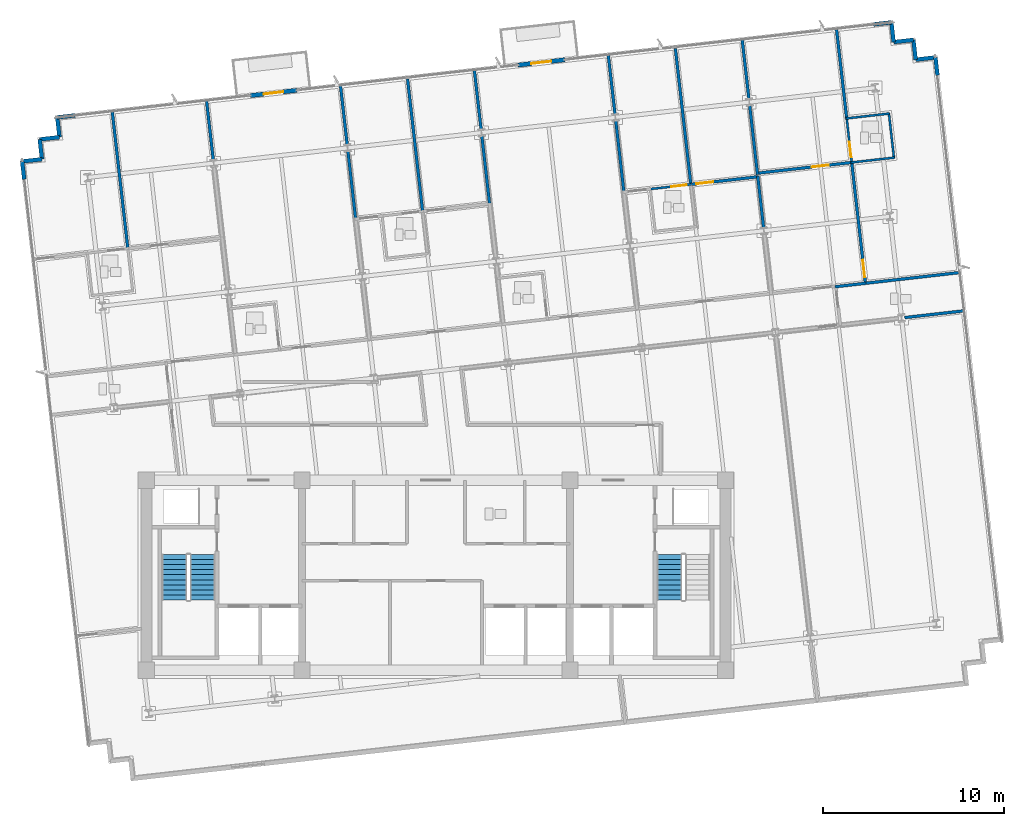
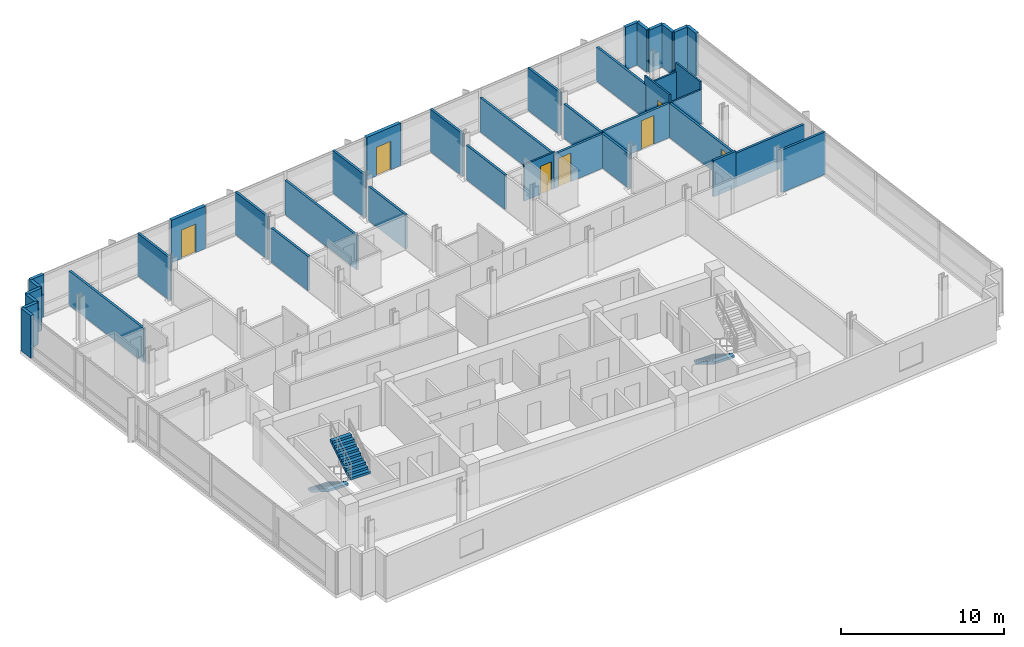
# One storey, part 11 of 17: 39 walls, 7 doors, 3 stair flights, 7 openings, 2 elements without a shape of their own.
"""IFC4 building model written with IfcOpenShell, lengths in metres."""

from ifc_helpers import new_model, si_unit, direction, frame, frame_2d, origin, place, context, subcontext, project, spatial, polyline, rectangle, outline, extrude, material, layer, layer_set, type_object, element, fill, aggregate, save


model = new_model("IFC4")

# Units and contexts
model_context = context("Model", 3, precision=1e-05, world=origin(), true_north=direction((0.0, 1.0)))
body_context = subcontext(model_context, "Body", "Model", "MODEL_VIEW")
ifc_project = project(units=[si_unit("LENGTHUNIT", "METRE"), si_unit("AREAUNIT", "SQUARE_METRE"), si_unit("VOLUMEUNIT", "CUBIC_METRE"), si_unit("PLANEANGLEUNIT", "RADIAN"), si_unit("MASSUNIT", "GRAM", prefix="KILO")], contexts=[model_context])

# Site, building, storey
site_placement = place(None, origin())
site = spatial("IfcSite", under=ifc_project, at=site_placement, CompositionType="ELEMENT")
building_placement = place(site_placement, origin())
building = spatial("IfcBuilding", under=site, at=building_placement, Name="Solmavex Isthmus Hotel", CompositionType="ELEMENT")
storey_placement = place(building_placement, frame((0.0, 0.0, 202.050048828125)))
storey = spatial("IfcBuildingStorey", under=building, at=storey_placement, Name="L54", CompositionType="ELEMENT", Elevation=202.050048828125)

# Wall, opening, door
ifc_material_1 = material(Name="Precast Concrete C40/50", Category="concrete")
ifc_layer_1 = layer(ifc_material_1, 0.25)
ifc_layer_set_1 = layer_set([ifc_layer_1], Name="Precast Concrete C40/50")
wall_type_1 = type_object("IfcWallType", Name="EW-TWR-250", PredefinedType="STANDARD", material=ifc_layer_set_1)
wall_1_placement = place(storey_placement, frame((-10.26953125, 18.750244140625, 0.0), z_axis=(0.0, 0.0, 1.0), x_axis=(0.993567130319, 0.113244680008, 0.0)))
wall_1 = element("IfcWall", 1, at=wall_1_placement, inside=storey, type_object=wall_type_1, Name="Exterior Balcony Door Wall L54-2", PredefinedType="STANDARD", context=body_context, shape_type="SweptSolid", body=[
    extrude(rectangle(XDim=2.60009765625, YDim=0.239990234375, at=frame_2d((1.300048828125, 0.0))), origin(), (0.0, 0.0, 1.0), 3.18994140625),
])
opening_1_placement = place(wall_1_placement, frame((0.75, 0.0, 0.0)))
opening_1 = element("IfcOpeningElement", 2, at=opening_1_placement, cuts=wall_1, Name="Opening ED-02", PredefinedType="OPENING", context=body_context, shape_type="SweptSolid", body=[
    extrude(rectangle(XDim=1.10009765625, YDim=2.14990234375, at=frame_2d((0.550048828125, 1.074951171875))), frame((0.0, 0.1298828125, 0.0), z_axis=(0.0, -1.0, 0.0), x_axis=(1.0, 0.0, 0.0)), (0.0, 0.0, 1.0), 0.260009765625),
])
ifc_material_2 = material(Name="Aluminium alloy 6063-T6", Category="aluminium")
door_type_1 = type_object("IfcDoorType", Name="EDR-BALC-1100", OperationType="NOTDEFINED", PredefinedType="DOOR", material=ifc_material_2)
door_1_placement = place(opening_1_placement, origin())
door_1 = element("IfcDoor", 3, at=door_1_placement, inside=storey, type_object=door_type_1, Name="Balcony & Terrace Glazed Door L54-2", OperationType="SINGLE_SWING_RIGHT", OverallHeight=2.14990234375, OverallWidth=1.10009765625, PredefinedType="DOOR", context=body_context, shape_type="SweptSolid", body=[
    extrude(rectangle(XDim=1.10009765625, YDim=2.14990234375, at=frame_2d((0.550048828125, 1.074951171875))), frame((0.0, 0.02490234375, 0.0), z_axis=(0.0, -1.0, 0.0), x_axis=(1.0, 0.0, 0.0)), (0.0, 0.0, 1.0), 0.050048828125),
])
fill(opening_1, door_1)

wall_2_placement = place(storey_placement, frame((4.52685546875, 20.43603515625, 0.0), z_axis=(0.0, 0.0, 1.0), x_axis=(0.993567130319, 0.113244680008, 0.0)))
wall_2 = element("IfcWall", 4, at=wall_2_placement, inside=storey, type_object=wall_type_1, Name="Exterior Balcony Door Wall L54-3", PredefinedType="STANDARD", context=body_context, shape_type="SweptSolid", body=[
    extrude(rectangle(XDim=2.60009765625, YDim=0.239990234375, at=frame_2d((1.300048828125, 0.0))), origin(), (0.0, 0.0, 1.0), 3.18994140625),
])
opening_2_placement = place(wall_2_placement, frame((0.75, 0.0, 0.0)))
opening_2 = element("IfcOpeningElement", 5, at=opening_2_placement, cuts=wall_2, Name="Opening ED-02", PredefinedType="OPENING", context=body_context, shape_type="SweptSolid", body=[
    extrude(rectangle(XDim=1.10009765625, YDim=2.14990234375, at=frame_2d((0.550048828125, 1.074951171875))), frame((0.0, 0.1298828125, 0.0), z_axis=(0.0, -1.0, 0.0), x_axis=(1.0, 0.0, 0.0)), (0.0, 0.0, 1.0), 0.260009765625),
])
door_2_placement = place(opening_2_placement, origin())
door_2 = element("IfcDoor", 6, at=door_2_placement, inside=storey, type_object=door_type_1, Name="Balcony & Terrace Glazed Door L54-3", OperationType="SINGLE_SWING_LEFT", OverallHeight=2.14990234375, OverallWidth=1.10009765625, PredefinedType="DOOR", context=body_context, shape_type="SweptSolid", body=[
    extrude(rectangle(XDim=1.10009765625, YDim=2.14990234375, at=frame_2d((0.550048828125, 1.074951171875))), frame((0.0, 0.02490234375, 0.0), z_axis=(0.0, -1.0, 0.0), x_axis=(1.0, 0.0, 0.0)), (0.0, 0.0, 1.0), 0.050048828125),
])
fill(opening_2, door_2)

# Walls
wall_3_placement = place(storey_placement, frame((-22.74755859375, 14.128173828125, 0.0), z_axis=(0.0, 0.0, 1.0), x_axis=(-0.113191877531, 0.993573147212, 0.0)))
element("IfcWall", 7, at=wall_3_placement, inside=storey, type_object=wall_type_1, Name="Serrated Corner Facade Panel L54-07", PredefinedType="STANDARD", context=body_context, shape_type="SweptSolid", body=[
    extrude(rectangle(XDim=0.989990234375, YDim=0.219970703125, at=frame_2d((0.4951171875, 0.0))), origin(), (0.0, 0.0, 1.0), 3.18994140625),
])
wall_4_placement = place(storey_placement, frame((-22.859619140625, 15.11181640625, 0.0), z_axis=(0.0, 0.0, 1.0), x_axis=(0.99357409499, 0.113183557839, 0.0)))
element("IfcWall", 8, at=wall_4_placement, inside=storey, type_object=wall_type_1, Name="Serrated Corner Facade Panel L54-08", PredefinedType="STANDARD", context=body_context, shape_type="SweptSolid", body=[
    extrude(rectangle(XDim=1.10009765625, YDim=0.219970703125, at=frame_2d((0.550048828125, 0.0))), origin(), (0.0, 0.0, 1.0), 3.18994140625),
])
wall_5_placement = place(storey_placement, frame((-21.7666015625, 15.236328125, 0.0), z_axis=(0.0, 0.0, 1.0), x_axis=(-0.11320852056, 0.99357125103, 0.0)))
element("IfcWall", 9, at=wall_5_placement, inside=storey, type_object=wall_type_1, Name="Serrated Corner Facade Panel L54-09", PredefinedType="STANDARD", context=body_context, shape_type="SweptSolid", body=[
    extrude(rectangle(XDim=1.099853515625, YDim=0.219970703125, at=frame_2d((0.5498046875, 0.0))), origin(), (0.0, 0.0, 1.0), 3.18994140625),
])
for number, where, z_axis, x_axis, name in (
    (10, (-21.89111328125, 16.3291015625, 0.0), (0.0, 0.0, 1.0), (0.99357409499, 0.113183557839, 0.0), "Serrated Corner Facade Panel L54-10"),
    (11, (-20.798095703125, 16.45361328125, 0.0), (0.0, 0.0, 1.0), (-0.113402635104, 0.993549114212, 0.0), "Serrated Corner Facade Panel L54-11"),
):
    element("IfcWall", number, at=place(storey_placement, frame(where, z_axis=z_axis, x_axis=x_axis)), inside=storey, type_object=wall_type_1, Name=name, PredefinedType="STANDARD", context=body_context, shape_type="SweptSolid", body=[
        extrude(rectangle(XDim=1.10009765625, YDim=0.219970703125, at=frame_2d((0.550048828125, 0.0))), origin(), (0.0, 0.0, 1.0), 3.18994140625),
    ])
for number, where, z_axis, x_axis, name in (
    (12, (-20.9228515625, 17.546630859375, 0.0), (0.0, 0.0, 1.0), (0.993573147212, 0.113191877531, 0.0), "Serrated Corner Facade Panel L54-12"),
    (13, (24.175537109375, 22.684814453125, 0.0), (0.0, 0.0, 1.0), (0.993573147212, 0.113191877531, 0.0), "Serrated Corner Facade Panel L54-14"),
):
    element("IfcWall", number, at=place(storey_placement, frame(where, z_axis=z_axis, x_axis=x_axis)), inside=storey, type_object=wall_type_1, Name=name, PredefinedType="STANDARD", context=body_context, shape_type="SweptSolid", body=[
        extrude(rectangle(XDim=0.989990234375, YDim=0.219970703125, at=frame_2d((0.4951171875, 0.0))), origin(), (0.0, 0.0, 1.0), 3.18994140625),
    ])
for number, where, z_axis, x_axis, name in (
    (14, (25.1591796875, 22.796875, 0.0), (0.0, 0.0, 1.0), (0.11320852056, -0.99357125103, 0.0), "Serrated Corner Facade Panel L54-15"),
    (15, (25.28369140625, 21.7041015625, 0.0), (0.0, 0.0, 1.0), (0.99357125103, 0.11320852056, 0.0), "Serrated Corner Facade Panel L54-16"),
):
    element("IfcWall", number, at=place(storey_placement, frame(where, z_axis=z_axis, x_axis=x_axis)), inside=storey, type_object=wall_type_1, Name=name, PredefinedType="STANDARD", context=body_context, shape_type="SweptSolid", body=[
        extrude(rectangle(XDim=1.099853515625, YDim=0.219970703125, at=frame_2d((0.5498046875, 0.0))), origin(), (0.0, 0.0, 1.0), 3.18994140625),
    ])
wall_6_placement = place(storey_placement, frame((26.37646484375, 21.82861328125, 0.0), z_axis=(0.0, 0.0, 1.0), x_axis=(0.113402635104, -0.993549114212, 0.0)))
element("IfcWall", 16, at=wall_6_placement, inside=storey, type_object=wall_type_1, Name="Serrated Corner Facade Panel L54-17", PredefinedType="STANDARD", context=body_context, shape_type="SweptSolid", body=[
    extrude(rectangle(XDim=1.10009765625, YDim=0.219970703125, at=frame_2d((0.550048828125, 0.0))), origin(), (0.0, 0.0, 1.0), 3.18994140625),
])
wall_7_placement = place(storey_placement, frame((26.501220703125, 20.735595703125, 0.0), z_axis=(0.0, 0.0, 1.0), x_axis=(0.99357125103, 0.11320852056, 0.0)))
element("IfcWall", 17, at=wall_7_placement, inside=storey, type_object=wall_type_1, Name="Serrated Corner Facade Panel L54-18", PredefinedType="STANDARD", context=body_context, shape_type="SweptSolid", body=[
    extrude(rectangle(XDim=1.099853515625, YDim=0.219970703125, at=frame_2d((0.5498046875, 0.0))), origin(), (0.0, 0.0, 1.0), 3.18994140625),
])
wall_8_placement = place(storey_placement, frame((27.593994140625, 20.860107421875, 0.0), z_axis=(0.0, 0.0, 1.0), x_axis=(0.113191877531, -0.993573147212, 0.0)))
element("IfcWall", 18, at=wall_8_placement, inside=storey, type_object=wall_type_1, Name="Serrated Corner Facade Panel L54-19", PredefinedType="STANDARD", context=body_context, shape_type="SweptSolid", body=[
    extrude(rectangle(XDim=0.989990234375, YDim=0.219970703125, at=frame_2d((0.4951171875, 0.0))), origin(), (0.0, 0.0, 1.0), 3.18994140625),
])
ifc_material_3 = material(Name="Gypsum plasterboard lining", Category="gypsum")
ifc_layer_2 = layer(ifc_material_3, 0.159912109375)
ifc_layer_set_2 = layer_set([ifc_layer_2], Name="Gypsum plasterboard lining")
wall_type_2 = type_object("IfcWallType", Name="IW-COMP-160", PredefinedType="PARTITIONING", material=ifc_layer_set_2)
wall_9_placement = place(storey_placement, frame((-17.891845703125, 17.922119140625, 0.0), z_axis=(0.0, 0.0, 1.0), x_axis=(0.113207305677, -0.993571389454, 0.0)))
element("IfcWall", 19, at=wall_9_placement, inside=storey, type_object=wall_type_2, Name="Interior Partition Wall W-L54-P033", PredefinedType="PARTITIONING", context=body_context, shape_type="SweptSolid", body=[
    extrude(rectangle(XDim=7.7119140625, YDim=0.159912109375, at=frame_2d((3.85595703125, 0.0))), origin(), (0.0, 0.0, 1.0), 2.557373046875),
])
wall_10_placement = place(storey_placement, frame((-12.681396484375, 18.515869140625, 0.0), z_axis=(0.0, 0.0, 1.0), x_axis=(0.113171804991, -0.993575433752, 0.0)))
element("IfcWall", 20, at=wall_10_placement, inside=storey, type_object=wall_type_2, Name="Interior Partition Wall W-L54-P035", PredefinedType="PARTITIONING", context=body_context, shape_type="SweptSolid", body=[
    extrude(rectangle(XDim=3.34375, YDim=0.159912109375, at=frame_2d((1.671875, 0.0))), origin(), (0.0, 0.0, 1.0), 3.18994140625),
])
wall_11_placement = place(storey_placement, frame((-5.283447265625, 19.358642578125, 0.0), z_axis=(0.0, 0.0, 1.0), x_axis=(0.113252098743, -0.993566284719, 0.0)))
element("IfcWall", 21, at=wall_11_placement, inside=storey, type_object=wall_type_2, Name="Interior Partition Wall W-L54-P041", PredefinedType="PARTITIONING", context=body_context, shape_type="SweptSolid", body=[
    extrude(rectangle(XDim=3.343505859375, YDim=0.159912109375, at=frame_2d((1.671875, 0.0))), origin(), (0.0, 0.0, 1.0), 3.18994140625),
])
wall_12_placement = place(storey_placement, frame((-4.864990234375, 15.68603515625, 0.0), z_axis=(0.0, 0.0, 1.0), x_axis=(0.11322351182, -0.993569542796, 0.0)))
element("IfcWall", 22, at=wall_12_placement, inside=storey, type_object=wall_type_2, Name="Interior Partition Wall W-L54-P042", PredefinedType="PARTITIONING", context=body_context, shape_type="SweptSolid", body=[
    extrude(rectangle(XDim=3.857666015625, YDim=0.159912109375, at=frame_2d((1.9287109375, 0.0))), origin(), (0.0, 0.0, 1.0), 2.572265625),
])
wall_13_placement = place(storey_placement, frame((-1.57080078125, 19.660888671875, 0.0), z_axis=(0.0, 0.0, 1.0), x_axis=(0.113218703946, -0.993570090671, 0.0)))
element("IfcWall", 23, at=wall_13_placement, inside=storey, type_object=wall_type_2, Name="Interior Partition Wall W-L54-P050", PredefinedType="PARTITIONING", context=body_context, shape_type="SweptSolid", body=[
    extrude(rectangle(XDim=7.39208984375, YDim=0.159912109375, at=frame_2d((3.696044921875, 0.0))), origin(), (0.0, 0.0, 1.0), 2.557373046875),
])
wall_14_placement = place(storey_placement, frame((2.11474609375, 20.20166015625, 0.0), z_axis=(0.0, 0.0, 1.0), x_axis=(0.113243883011, -0.993567221158, 0.0)))
element("IfcWall", 24, at=wall_14_placement, inside=storey, type_object=wall_type_2, Name="Interior Partition Wall W-L54-P052", PredefinedType="PARTITIONING", context=body_context, shape_type="SweptSolid", body=[
    extrude(rectangle(XDim=3.34375, YDim=0.159912109375, at=frame_2d((1.671875, 0.0))), origin(), (0.0, 0.0, 1.0), 3.18994140625),
])
wall_15_placement = place(storey_placement, frame((2.533203125, 16.529052734375, 0.0), z_axis=(0.0, 0.0, 1.0), x_axis=(0.113183882326, -0.993574058026, 0.0)))
element("IfcWall", 25, at=wall_15_placement, inside=storey, type_object=wall_type_2, Name="Interior Partition Wall W-L54-P053", PredefinedType="PARTITIONING", context=body_context, shape_type="SweptSolid", body=[
    extrude(rectangle(XDim=3.815673828125, YDim=0.159912109375, at=frame_2d((1.90771484375, 0.0))), origin(), (0.0, 0.0, 1.0), 2.572265625),
])
wall_16_placement = place(storey_placement, frame((9.512939453125, 21.04443359375, 0.0), z_axis=(0.0, 0.0, 1.0), x_axis=(0.113180015629, -0.993574498496, 0.0)))
element("IfcWall", 26, at=wall_16_placement, inside=storey, type_object=wall_type_2, Name="Interior Partition Wall W-L54-P058", PredefinedType="PARTITIONING", context=body_context, shape_type="SweptSolid", body=[
    extrude(rectangle(XDim=3.343505859375, YDim=0.159912109375, at=frame_2d((1.671875, 0.0))), origin(), (0.0, 0.0, 1.0), 3.18994140625),
])
wall_17_placement = place(storey_placement, frame((9.931396484375, 17.371826171875, 0.0), z_axis=(0.0, 0.0, 1.0), x_axis=(0.113178343723, -0.993574688945, 0.0)))
element("IfcWall", 27, at=wall_17_placement, inside=storey, type_object=wall_type_2, Name="Interior Partition Wall W-L54-P059", PredefinedType="PARTITIONING", context=body_context, shape_type="SweptSolid", body=[
    extrude(rectangle(XDim=4.0576171875, YDim=0.159912109375, at=frame_2d((2.02880859375, 0.0))), origin(), (0.0, 0.0, 1.0), 2.572265625),
])

# Wall, opening, door
wall_18_placement = place(storey_placement, frame((14.040771484375, 13.8388671875, 0.0), z_axis=(0.0, 0.0, 1.0), x_axis=(0.99357460938, 0.113179042213, 0.0)))
wall_18 = element("IfcWall", 28, at=wall_18_placement, inside=storey, type_object=wall_type_2, Name="Interior Partition Wall W-L54-P061", PredefinedType="PARTITIONING", context=body_context, shape_type="SweptSolid", body=[
    extrude(rectangle(XDim=3.802978515625, YDim=0.159912109375, at=frame_2d((1.9013671875, 0.0))), origin(), (0.0, 0.0, 1.0), 2.572265625),
])
opening_3_placement = place(wall_18_placement, frame((0.331787109375, 0.0, 0.0)))
opening_3 = element("IfcOpeningElement", 29, at=opening_3_placement, cuts=wall_18, Name="Opening ID-C095", PredefinedType="OPENING", context=body_context, shape_type="SweptSolid", body=[
    extrude(rectangle(XDim=0.949951171875, YDim=2.14990234375, at=frame_2d((0.47509765625, 1.074951171875))), frame((0.0, 0.08984375, 0.0), z_axis=(0.0, -1.0, 0.0), x_axis=(1.0, 0.0, 0.0)), (0.0, 0.0, 1.0), 0.179931640625),
])
ifc_material_4 = material(Name="Hardwood timber", Category="wood")
door_type_2 = type_object("IfcDoorType", Name="IDR-FD60-0950", OperationType="NOTDEFINED", PredefinedType="DOOR", material=ifc_material_4)
door_3_placement = place(opening_3_placement, origin())
door_3 = element("IfcDoor", 30, at=door_3_placement, inside=storey, type_object=door_type_2, Name="Premier Suite Panorama Sitting Study Door L54-15", OperationType="SINGLE_SWING_LEFT", OverallHeight=2.14990234375, OverallWidth=0.949951171875, PredefinedType="DOOR", context=body_context, shape_type="SweptSolid", body=[
    extrude(rectangle(XDim=0.949951171875, YDim=2.14990234375, at=frame_2d((0.47509765625, 1.074951171875))), frame((0.0, 0.02490234375, 0.0), z_axis=(0.0, -1.0, 0.0), x_axis=(1.0, 0.0, 0.0)), (0.0, 0.0, 1.0), 0.050048828125),
])
fill(opening_3, door_3)

# Walls
wall_19_placement = place(storey_placement, frame((17.775146484375, 14.304443359375, 0.0), z_axis=(0.0, 0.0, 1.0), x_axis=(0.113135412766, -0.993579578282, 0.0)))
element("IfcWall", 31, at=wall_19_placement, inside=storey, type_object=wall_type_2, Name="Interior Partition Wall W-L54-P065", PredefinedType="PARTITIONING", context=body_context, shape_type="SweptSolid", body=[
    extrude(rectangle(XDim=2.863525390625, YDim=0.159912109375, at=frame_2d((1.431640625, 0.0))), origin(), (0.0, 0.0, 1.0), 2.572265625),
])
wall_20_placement = place(storey_placement, frame((13.2255859375, 21.3466796875, 0.0), z_axis=(0.0, 0.0, 1.0), x_axis=(0.113194690428, -0.993572826751, 0.0)))
element("IfcWall", 32, at=wall_20_placement, inside=storey, type_object=wall_type_2, Name="Interior Partition Wall W-L54-P067", PredefinedType="PARTITIONING", context=body_context, shape_type="SweptSolid", body=[
    extrude(rectangle(XDim=7.592041015625, YDim=0.159912109375, at=frame_2d((3.7958984375, 0.0))), origin(), (0.0, 0.0, 1.0), 2.557373046875),
])
wall_21_placement = place(storey_placement, frame((16.9111328125, 21.887451171875, 0.0), z_axis=(0.0, 0.0, 1.0), x_axis=(0.113171804991, -0.993575433752, 0.0)))
element("IfcWall", 33, at=wall_21_placement, inside=storey, type_object=wall_type_2, Name="Interior Partition Wall W-L54-P069", PredefinedType="PARTITIONING", context=body_context, shape_type="SweptSolid", body=[
    extrude(rectangle(XDim=3.34375, YDim=0.159912109375, at=frame_2d((1.671875, 0.0))), origin(), (0.0, 0.0, 1.0), 3.18994140625),
])
wall_22_placement = place(storey_placement, frame((17.32958984375, 18.21484375, 0.0), z_axis=(0.0, 0.0, 1.0), x_axis=(0.113161033767, -0.993576660574, 0.0)))
element("IfcWall", 34, at=wall_22_placement, inside=storey, type_object=wall_type_2, Name="Interior Partition Wall W-L54-P070", PredefinedType="PARTITIONING", context=body_context, shape_type="SweptSolid", body=[
    extrude(rectangle(XDim=3.857421875, YDim=0.159912109375, at=frame_2d((1.9287109375, 0.0))), origin(), (0.0, 0.0, 1.0), 2.572265625),
])

# Wall, opening, door
wall_23_placement = place(storey_placement, frame((17.71728515625, 14.458984375, 0.0), z_axis=(0.0, 0.0, 1.0), x_axis=(0.99357458339, 0.113179270369, 0.0)))
wall_23 = element("IfcWall", 35, at=wall_23_placement, inside=storey, type_object=wall_type_2, Name="Interior Partition Wall W-L54-P071", PredefinedType="PARTITIONING", context=body_context, shape_type="SweptSolid", body=[
    extrude(rectangle(XDim=5.32373046875, YDim=0.159912109375, at=frame_2d((2.661865234375, 0.0))), origin(), (0.0, 0.0, 1.0), 2.572265625),
])
opening_4_placement = place(wall_23_placement, frame((3.068115234375, 0.0, 0.0)))
opening_4 = element("IfcOpeningElement", 36, at=opening_4_placement, cuts=wall_23, Name="Opening ID-C095", PredefinedType="OPENING", context=body_context, shape_type="SweptSolid", body=[
    extrude(rectangle(XDim=0.949951171875, YDim=2.14990234375, at=frame_2d((0.47509765625, 1.074951171875))), frame((0.0, 0.08984375, 0.0), z_axis=(0.0, -1.0, 0.0), x_axis=(1.0, 0.0, 0.0)), (0.0, 0.0, 1.0), 0.179931640625),
])
door_4_placement = place(opening_4_placement, origin())
door_4 = element("IfcDoor", 37, at=door_4_placement, inside=storey, type_object=door_type_2, Name="Corner Suite Master Bedroom Door L54-18", OperationType="SINGLE_SWING_RIGHT", OverallHeight=2.14990234375, OverallWidth=0.949951171875, PredefinedType="DOOR", context=body_context, shape_type="SweptSolid", body=[
    extrude(rectangle(XDim=0.949951171875, YDim=2.14990234375, at=frame_2d((0.47509765625, 1.074951171875))), frame((0.0, 0.02490234375, 0.0), z_axis=(0.0, -1.0, 0.0), x_axis=(1.0, 0.0, 0.0)), (0.0, 0.0, 1.0), 0.050048828125),
])
fill(opening_4, door_4)

wall_24_placement = place(storey_placement, frame((22.962646484375, 15.096923828125, 0.0), z_axis=(0.0, 0.0, 1.0), x_axis=(0.113198160336, -0.993572431429, 0.0)))
wall_24 = element("IfcWall", 38, at=wall_24_placement, inside=storey, type_object=wall_type_2, Name="Interior Partition Wall W-L54-P072", PredefinedType="PARTITIONING", context=body_context, shape_type="SweptSolid", body=[
    extrude(rectangle(XDim=6.798095703125, YDim=0.159912109375, at=frame_2d((3.39892578125, 0.0))), origin(), (0.0, 0.0, 1.0), 2.572265625),
])
opening_5_placement = place(wall_24_placement, frame((5.46337890625, 0.0, 0.0)))
opening_5 = element("IfcOpeningElement", 39, at=opening_5_placement, cuts=wall_24, Name="Opening ID-C095", PredefinedType="OPENING", context=body_context, shape_type="SweptSolid", body=[
    extrude(rectangle(XDim=0.949951171875, YDim=2.14990234375, at=frame_2d((0.47509765625, 1.074951171875))), frame((0.0, 0.08984375, 0.0), z_axis=(0.0, -1.0, 0.0), x_axis=(1.0, 0.0, 0.0)), (0.0, 0.0, 1.0), 0.179931640625),
])
door_5_placement = place(opening_5_placement, frame((0.949951171875, 0.0, 0.0), z_axis=(0.0, 0.0, 1.0), x_axis=(-1.0, 0.0, 0.0)))
door_5 = element("IfcDoor", 40, at=door_5_placement, inside=storey, type_object=door_type_2, Name="Corner Suite Living Lounge Door L54-19", OperationType="SINGLE_SWING_LEFT", OverallHeight=2.14990234375, OverallWidth=0.949951171875, PredefinedType="DOOR", context=body_context, shape_type="SweptSolid", body=[
    extrude(rectangle(XDim=0.949951171875, YDim=2.14990234375, at=frame_2d((0.47509765625, 1.074951171875))), frame((0.0, 0.02490234375, 0.0), z_axis=(0.0, -1.0, 0.0), x_axis=(1.0, 0.0, 0.0)), (0.0, 0.0, 1.0), 0.050048828125),
])
fill(opening_5, door_5)

# Walls
wall_25_placement = place(storey_placement, frame((23.767333984375, 8.38671875, 0.0), z_axis=(0.0, 0.0, 1.0), x_axis=(-0.993577783283, -0.113151175719, 0.0)))
element("IfcWall", 41, at=wall_25_placement, inside=storey, type_object=wall_type_2, Name="Interior Partition Wall W-L54-P073", PredefinedType="PARTITIONING", context=body_context, shape_type="SweptSolid", body=[
    extrude(rectangle(XDim=1.723876953125, YDim=0.159912109375, at=frame_2d((0.86181640625, 0.0))), origin(), (0.0, 0.0, 1.0), 2.718017578125),
])
wall_26_placement = place(storey_placement, frame((22.121337890625, 22.48095703125, 0.0), z_axis=(0.0, 0.0, 1.0), x_axis=(0.113224155513, -0.993569469443, 0.0)))
element("IfcWall", 42, at=wall_26_placement, inside=storey, type_object=wall_type_2, Name="Interior Partition Wall W-L54-P074", PredefinedType="PARTITIONING", context=body_context, shape_type="SweptSolid", body=[
    extrude(rectangle(XDim=5.103759765625, YDim=0.159912109375, at=frame_2d((2.5517578125, 0.0))), origin(), (0.0, 0.0, 1.0), 2.557373046875),
])
wall_27_placement = place(storey_placement, frame((28.977783203125, 8.98046875, 0.0), z_axis=(0.0, 0.0, 1.0), x_axis=(-0.993570013337, -0.113219382606, 0.0)))
element("IfcWall", 43, at=wall_27_placement, inside=storey, type_object=wall_type_2, Name="Interior Partition Wall W-L54-P079", PredefinedType="PARTITIONING", context=body_context, shape_type="SweptSolid", body=[
    extrude(rectangle(XDim=5.323974609375, YDim=0.159912109375, at=frame_2d((2.662109375, 0.0))), origin(), (0.0, 0.0, 1.0), 2.557373046875),
])
wall_28_placement = place(storey_placement, frame((29.21875, 6.864013671875, 0.0), z_axis=(0.0, 0.0, 1.0), x_axis=(-0.993574498496, -0.113180015629, 0.0)))
element("IfcWall", 44, at=wall_28_placement, inside=storey, type_object=wall_type_2, Name="Interior Partition Wall W-L54-P083", PredefinedType="PARTITIONING", context=body_context, shape_type="SweptSolid", body=[
    extrude(rectangle(XDim=3.343505859375, YDim=0.159912109375, at=frame_2d((1.671875, 0.0))), origin(), (0.0, 0.0, 1.0), 3.18994140625),
])

# Wall, opening, door
ifc_layer_3 = layer(ifc_material_3, 0.1201171875)
ifc_layer_set_3 = layer_set([ifc_layer_3], Name="Gypsum plasterboard lining")
wall_type_3 = type_object("IfcWallType", Name="IW-PART-120", PredefinedType="PARTITIONING", material=ifc_layer_set_3)
wall_29_placement = place(storey_placement, frame((14.120361328125, 13.847900390625, 0.0), z_axis=(0.0, 0.0, 1.0), x_axis=(-0.99357109585, -0.113209882477, 0.0)))
wall_29 = element("IfcWall", 45, at=wall_29_placement, inside=storey, type_object=wall_type_3, Name="Interior Partition Wall W-L54-P068", PredefinedType="PARTITIONING", context=body_context, shape_type="SweptSolid", body=[
    extrude(rectangle(XDim=2.3720703125, YDim=0.1201171875, at=frame_2d((1.18603515625, 0.0))), origin(), (0.0, 0.0, 1.0), 2.718017578125),
])
opening_6_placement = place(wall_29_placement, frame((0.27978515625, 0.0, 0.0)))
opening_6 = element("IfcOpeningElement", 46, at=opening_6_placement, cuts=wall_29, Name="Opening ID-U085", PredefinedType="OPENING", context=body_context, shape_type="SweptSolid", body=[
    extrude(rectangle(XDim=0.85009765625, YDim=2.10009765625, at=frame_2d((0.425048828125, 1.050048828125))), frame((0.0, 0.070068359375, 0.0), z_axis=(0.0, -1.0, 0.0), x_axis=(1.0, 0.0, 0.0)), (0.0, 0.0, 1.0), 0.14013671875),
])
door_type_3 = type_object("IfcDoorType", Name="IDR-UNR-0850", OperationType="NOTDEFINED", PredefinedType="DOOR", material=ifc_material_4)
door_6_placement = place(opening_6_placement, frame((0.85009765625, 0.0, 0.0), z_axis=(0.0, 0.0, 1.0), x_axis=(-1.0, 0.0, 0.0)))
door_6 = element("IfcDoor", 47, at=door_6_placement, inside=storey, type_object=door_type_3, Name="En-suite Bathroom Door L54-16", OperationType="SINGLE_SWING_RIGHT", OverallHeight=2.10009765625, OverallWidth=0.85009765625, PredefinedType="DOOR", context=body_context, shape_type="SweptSolid", body=[
    extrude(rectangle(XDim=0.85009765625, YDim=2.10009765625, at=frame_2d((0.425048828125, 1.050048828125))), frame((0.0, 0.02490234375, 0.0), z_axis=(0.0, -1.0, 0.0), x_axis=(1.0, 0.0, 0.0)), (0.0, 0.0, 1.0), 0.050048828125),
])
fill(opening_6, door_6)

wall_30_placement = place(storey_placement, frame((22.6806640625, 17.57275390625, 0.0), z_axis=(0.0, 0.0, 1.0), x_axis=(0.11315036097, -0.993577876068, 0.0)))
wall_30 = element("IfcWall", 48, at=wall_30_placement, inside=storey, type_object=wall_type_3, Name="Interior Partition Wall W-L54-P075", PredefinedType="PARTITIONING", context=body_context, shape_type="SweptSolid", body=[
    extrude(rectangle(XDim=2.572021484375, YDim=0.1201171875, at=frame_2d((1.2861328125, 0.0))), origin(), (0.0, 0.0, 1.0), 3.18994140625),
])
opening_7_placement = place(wall_30_placement, frame((1.38427734375, 0.0, 0.0)))
opening_7 = element("IfcOpeningElement", 49, at=opening_7_placement, cuts=wall_30, Name="Opening ID-U085", PredefinedType="OPENING", context=body_context, shape_type="SweptSolid", body=[
    extrude(rectangle(XDim=0.85009765625, YDim=2.10009765625, at=frame_2d((0.425048828125, 1.050048828125))), frame((0.0, 0.070068359375, 0.0), z_axis=(0.0, -1.0, 0.0), x_axis=(1.0, 0.0, 0.0)), (0.0, 0.0, 1.0), 0.14013671875),
])
door_7_placement = place(opening_7_placement, frame((0.85009765625, 0.0, 0.0), z_axis=(0.0, 0.0, 1.0), x_axis=(-1.0, 0.0, 0.0)))
door_7 = element("IfcDoor", 50, at=door_7_placement, inside=storey, type_object=door_type_3, Name="En-suite Bathroom Door L54-20", OperationType="SINGLE_SWING_RIGHT", OverallHeight=2.10009765625, OverallWidth=0.85009765625, PredefinedType="DOOR", context=body_context, shape_type="SweptSolid", body=[
    extrude(rectangle(XDim=0.85009765625, YDim=2.10009765625, at=frame_2d((0.425048828125, 1.050048828125))), frame((0.0, 0.02490234375, 0.0), z_axis=(0.0, -1.0, 0.0), x_axis=(1.0, 0.0, 0.0)), (0.0, 0.0, 1.0), 0.050048828125),
])
fill(opening_7, door_7)

# Walls
wall_31_placement = place(storey_placement, frame((22.927490234375, 15.052490234375, 0.0), z_axis=(0.0, 0.0, 1.0), x_axis=(0.993568569373, 0.113232053563, 0.0)))
element("IfcWall", 51, at=wall_31_placement, inside=storey, type_object=wall_type_3, Name="Interior Partition Wall W-L54-P076", PredefinedType="PARTITIONING", context=body_context, shape_type="SweptSolid", body=[
    extrude(rectangle(XDim=2.429931640625, YDim=0.1201171875, at=frame_2d((1.21484375, 0.0))), origin(), (0.0, 0.0, 1.0), 2.557373046875),
])
wall_32_placement = place(storey_placement, frame((25.306640625, 15.283447265625, 0.0), z_axis=(0.0, 0.0, 1.0), x_axis=(-0.113195495167, 0.99357273507, 0.0)))
element("IfcWall", 52, at=wall_32_placement, inside=storey, type_object=wall_type_3, Name="Interior Partition Wall W-L54-P077", PredefinedType="PARTITIONING", context=body_context, shape_type="SweptSolid", body=[
    extrude(rectangle(XDim=2.530029296875, YDim=0.1201171875, at=frame_2d((1.26513671875, 0.0))), origin(), (0.0, 0.0, 1.0), 3.18994140625),
])
wall_33_placement = place(storey_placement, frame((25.064453125, 17.761962890625, 0.0), z_axis=(0.0, 0.0, 1.0), x_axis=(-0.993568569373, -0.113232053563, 0.0)))
element("IfcWall", 53, at=wall_33_placement, inside=storey, type_object=wall_type_3, Name="Interior Partition Wall W-L54-P078", PredefinedType="PARTITIONING", context=body_context, shape_type="SweptSolid", body=[
    extrude(rectangle(XDim=2.429931640625, YDim=0.1201171875, at=frame_2d((1.21484375, 0.0))), origin(), (0.0, 0.0, 1.0), 2.557373046875),
])

# Stair, stair flights
ifc_material_5 = material(Name="Concrete C40/50", Category="concrete")
stair_type_1 = type_object("IfcStairType", Name="STR-ST-1", PredefinedType="HALF_TURN_STAIR", material=ifc_material_5)
stair_1_placement = place(storey_placement, origin())
stair_1 = element("IfcStair", 54, at=stair_1_placement, inside=storey, type_object=stair_type_1, Name="L54 Protected Exit Stair ST-1", PredefinedType="HALF_TURN_STAIR")
stair_flight_type_1 = type_object("IfcStairFlightType", Name="SFL-ST-1", PredefinedType="STRAIGHT", material=ifc_material_5)
stair_flight_1_placement = place(storey_placement, frame((-14.449951171875, -6.60009765625, 0.0), z_axis=(0.0, 0.0, 1.0), x_axis=(0.0, -1.0, 0.0)))
stair_flight_1 = element("IfcStairFlight", 55, at=stair_flight_1_placement, type_object=stair_flight_type_1, Name="ST-1 flight 1", NumberOfRisers=10, NumberOfTreads=9, PredefinedType="STRAIGHT", RiserHeight=0.1725, TreadLength=0.28, context=body_context, shape_type="SweptSolid", body=[
    extrude(outline(polyline([(0.0, 0.0), (0.0, 0.172607421875), (0.280029296875, 0.172607421875), (0.280029296875, 0.344970703125), (0.56005859375, 0.344970703125), (0.56005859375, 0.517578125), (0.840087890625, 0.517578125), (0.840087890625, 0.68994140625), (1.1201171875, 0.68994140625), (1.1201171875, 0.862548828125), (1.39990234375, 0.862548828125), (1.39990234375, 1.034912109375), (1.679931640625, 1.034912109375), (1.679931640625, 1.20751953125), (1.9599609375, 1.20751953125), (1.9599609375, 1.3798828125), (2.239990234375, 1.3798828125), (2.239990234375, 1.552490234375), (2.52001953125, 1.552490234375), (2.52001953125, 1.72509765625), (2.52001953125, 1.37646484375), (0.285888671875, 0.0), (0.0, 0.0)])), frame((0.0, 0.699951171875, 0.0), z_axis=(0.0, -1.0, 0.0), x_axis=(1.0, 0.0, 0.0)), (0.0, 0.0, 1.0), 1.39990234375),
])
stair_flight_2_placement = place(storey_placement, frame((-12.89990234375, -9.1201171875, 1.724853515625), z_axis=(0.0, 0.0, 1.0), x_axis=(0.0, 1.0, 0.0)))
stair_flight_2 = element("IfcStairFlight", 56, at=stair_flight_2_placement, type_object=stair_flight_type_1, Name="ST-1 flight 2", NumberOfRisers=10, NumberOfTreads=9, PredefinedType="STRAIGHT", RiserHeight=0.1725, TreadLength=0.28, context=body_context, shape_type="SweptSolid", body=[
    extrude(outline(polyline([(0.0, 0.0), (0.0, 0.172607421875), (0.280029296875, 0.172607421875), (0.280029296875, 0.344970703125), (0.56005859375, 0.344970703125), (0.56005859375, 0.517578125), (0.840087890625, 0.517578125), (0.840087890625, 0.68994140625), (1.1201171875, 0.68994140625), (1.1201171875, 0.862548828125), (1.39990234375, 0.862548828125), (1.39990234375, 1.034912109375), (1.679931640625, 1.034912109375), (1.679931640625, 1.20751953125), (1.9599609375, 1.20751953125), (1.9599609375, 1.3798828125), (2.239990234375, 1.3798828125), (2.239990234375, 1.552490234375), (2.52001953125, 1.552490234375), (2.52001953125, 1.72509765625), (2.52001953125, 1.37646484375), (0.285888671875, 0.0), (0.0, 0.0)])), frame((0.0, 0.699951171875, 0.0), z_axis=(0.0, -1.0, 0.0), x_axis=(1.0, 0.0, 0.0)), (0.0, 0.0, 1.0), 1.39990234375),
])
aggregate(stair_1, [stair_flight_1, stair_flight_2])

# Stair, stair flight
stair_type_2 = type_object("IfcStairType", Name="STR-ST-2", PredefinedType="HALF_TURN_STAIR", material=ifc_material_5)
stair_2_placement = place(storey_placement, origin())
stair_2 = element("IfcStair", 57, at=stair_2_placement, inside=storey, type_object=stair_type_2, Name="L54 Protected Exit Stair ST-2", PredefinedType="HALF_TURN_STAIR")
stair_flight_type_2 = type_object("IfcStairFlightType", Name="SFL-ST-2", PredefinedType="STRAIGHT", material=ifc_material_5)
stair_flight_3_placement = place(storey_placement, frame((12.89990234375, -6.60009765625, 0.0), z_axis=(0.0, 0.0, 1.0), x_axis=(0.0, -1.0, 0.0)))
stair_flight_3 = element("IfcStairFlight", 58, at=stair_flight_3_placement, type_object=stair_flight_type_2, Name="ST-2 flight 1", NumberOfRisers=10, NumberOfTreads=9, PredefinedType="STRAIGHT", RiserHeight=0.1725, TreadLength=0.28, context=body_context, shape_type="SweptSolid", body=[
    extrude(outline(polyline([(0.0, 0.0), (0.0, 0.172607421875), (0.280029296875, 0.172607421875), (0.280029296875, 0.344970703125), (0.56005859375, 0.344970703125), (0.56005859375, 0.517578125), (0.840087890625, 0.517578125), (0.840087890625, 0.68994140625), (1.1201171875, 0.68994140625), (1.1201171875, 0.862548828125), (1.39990234375, 0.862548828125), (1.39990234375, 1.034912109375), (1.679931640625, 1.034912109375), (1.679931640625, 1.20751953125), (1.9599609375, 1.20751953125), (1.9599609375, 1.3798828125), (2.239990234375, 1.3798828125), (2.239990234375, 1.552490234375), (2.52001953125, 1.552490234375), (2.52001953125, 1.72509765625), (2.52001953125, 1.37646484375), (0.285888671875, 0.0), (0.0, 0.0)])), frame((0.0, 0.699951171875, 0.0), z_axis=(0.0, -1.0, 0.0), x_axis=(1.0, 0.0, 0.0)), (0.0, 0.0, 1.0), 1.39990234375),
])
aggregate(stair_2, [stair_flight_3])

save(model, "model.ifc")
